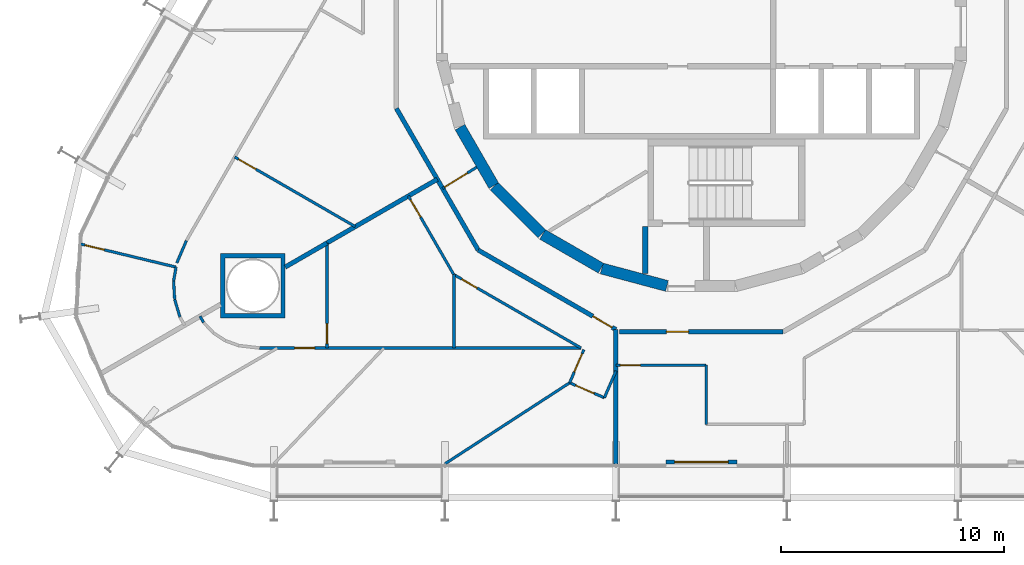
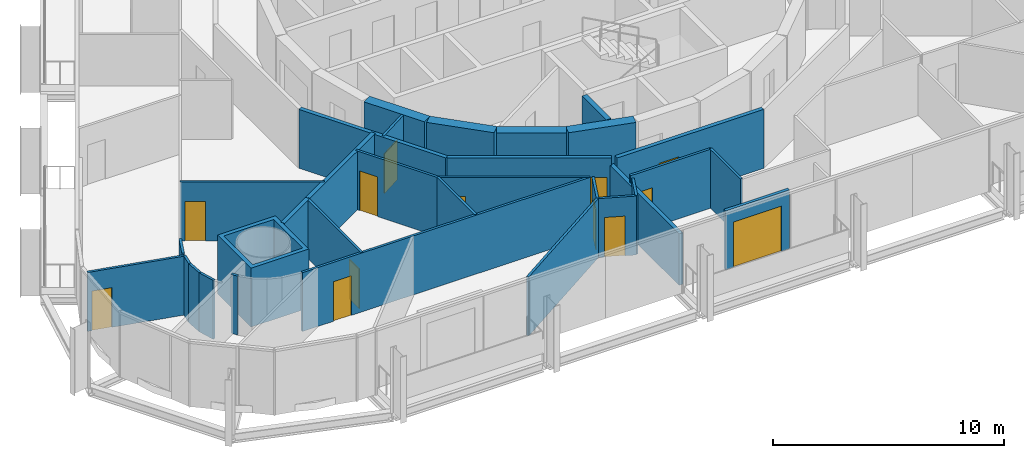
# One storey, part 13 of 21: 32 walls, 13 doors, 13 openings.
"""IFC4 building model written with IfcOpenShell, lengths in metres."""

import ifcopenshell
import ifcopenshell.guid

model = None  # the IFC model being written
_history = None  # IfcOwnerHistory: only IFC2X3 demands one
_inside = {}  # id of a spatial element -> (the spatial element, [elements in it])
_under = {}  # id of a project, library or spatial element -> (it, [spatial elements below it])
_declared = {}  # id of a project -> (the project, [libraries it declares])
_typed = {}  # id of a type object -> (the type object, [elements of that type])
_made_of = {}  # id of a material, layer set ... -> (it, [elements and type objects made of it])


def new_model(schema):
    """Start an empty IFC model of exactly this schema.

    Asked for "IFC4X3", IfcOpenShell would pick the latest addendum, in which some entities
    have other attributes; the version numbers below select the first issue.
    IFC2X3 requires an IfcOwnerHistory on every rooted entity: one is made here for all.
    """
    global model, _history
    if schema == "IFC4X3":
        model = ifcopenshell.file(schema_version=(4, 3, 0, 0))
    else:
        model = ifcopenshell.file(schema=schema)
    _inside.clear()
    _under.clear()
    _declared.clear()
    _typed.clear()
    _made_of.clear()
    _history = None
    if model.schema == "IFC2X3":
        org = make("IfcOrganization", Name="unknown")
        user = make(
            "IfcPersonAndOrganization",
            ThePerson=make("IfcPerson", FamilyName="unknown"),
            TheOrganization=org,
        )
        app = make(
            "IfcApplication",
            ApplicationDeveloper=org,
            Version="unknown",
            ApplicationFullName="unknown",
            ApplicationIdentifier="unknown",
        )
        _history = make(
            "IfcOwnerHistory",
            OwningUser=user,
            OwningApplication=app,
            ChangeAction="ADDED",
            CreationDate=0,
        )
    return model


def make(cls, **values):
    """One entity of the class cls with the attributes given. An attribute that is None is left unset."""
    return model.create_entity(
        cls, **{name: value for name, value in values.items() if value is not None}
    )


def rooted(cls, **values):
    """An entity with a GlobalId (a new one), such as an element, a storey or a relation."""
    return make(cls, GlobalId=ifcopenshell.guid.new(), OwnerHistory=_history, **values)


def si_unit(unit_type, name, prefix=None):
    """IfcSIUnit, for example si_unit("LENGTHUNIT", "METRE", prefix="MILLI")."""
    return make("IfcSIUnit", UnitType=unit_type, Prefix=prefix, Name=name)


def assignment(units):
    """IfcUnitAssignment: the units of a project."""
    return None if units is None else make("IfcUnitAssignment", Units=units)


def point(xyz):
    """IfcCartesianPoint."""
    return None if xyz is None else make("IfcCartesianPoint", Coordinates=xyz)


def direction(xyz):
    """IfcDirection."""
    return None if xyz is None else make("IfcDirection", DirectionRatios=xyz)


def frame(location, z_axis=None, x_axis=None):
    """IfcAxis2Placement3D, a coordinate frame: its origin and axes. An axis left out is left unset."""
    return make(
        "IfcAxis2Placement3D",
        Location=point(location),
        Axis=direction(z_axis),
        RefDirection=direction(x_axis),
    )


def frame_2d(location, x_axis=None):
    """IfcAxis2Placement2D, a coordinate frame in the plane: its origin and x axis."""
    return make(
        "IfcAxis2Placement2D", Location=point(location), RefDirection=direction(x_axis)
    )


def origin():
    """The frame at (0, 0, 0) with its axes left unset."""
    return frame((0.0, 0.0, 0.0))


def place(relative_to, where):
    """IfcLocalPlacement: puts the frame where relative to a parent placement (None: the world)."""
    return make(
        "IfcLocalPlacement", PlacementRelTo=relative_to, RelativePlacement=where
    )


def context(
    kind, dimensions, precision=None, world=None, true_north=None, identifier=None
):
    """IfcGeometricRepresentationContext, for example the 3D "Model" context."""
    return make(
        "IfcGeometricRepresentationContext",
        ContextIdentifier=identifier,
        ContextType=kind,
        CoordinateSpaceDimension=dimensions,
        Precision=precision,
        WorldCoordinateSystem=world,
        TrueNorth=true_north,
    )


def subcontext(parent, identifier, kind, view, scale=None):
    """IfcGeometricRepresentationSubContext, for example "Body" below "Model"."""
    return make(
        "IfcGeometricRepresentationSubContext",
        ContextIdentifier=identifier,
        ContextType=kind,
        ParentContext=parent,
        TargetScale=scale,
        TargetView=view,
    )


def project(units=None, contexts=None):
    """IfcProject with its units and contexts."""
    return rooted(
        "IfcProject",
        Name="project",
        RepresentationContexts=contexts,
        UnitsInContext=assignment(units),
    )


def spatial(cls, under=None, at=None, **own):
    """A site, building, storey or space (cls), placed at a placement, below another one or the project."""
    s = rooted(cls, ObjectPlacement=at, **own)
    if under is not None:
        _under.setdefault(under.id(), (under, []))[1].append(s)
    return s


def polyline(points):
    """IfcPolyline through the points."""
    return make("IfcPolyline", Points=[point(p) for p in points])


def profile(cls, at=None, kind="AREA", **sizes):
    """A parametric profile (cls). Its sizes go by their IFC names, for example OverallWidth=200.0."""
    return make(cls, ProfileType=kind, Position=at, **sizes)


def rectangle(**sizes):
    """IfcRectangleProfileDef."""
    return profile("IfcRectangleProfileDef", **sizes)


def outline(outer, holes=None, kind="AREA"):
    """IfcArbitraryClosedProfileDef: a profile drawn as a closed curve; with holes, ...WithVoids."""
    if holes is None:
        return make("IfcArbitraryClosedProfileDef", ProfileType=kind, OuterCurve=outer)
    return make(
        "IfcArbitraryProfileDefWithVoids",
        ProfileType=kind,
        OuterCurve=outer,
        InnerCurves=holes,
    )


def extrude(swept, where, along, depth):
    """IfcExtrudedAreaSolid: the profile swept, set in the frame where, extruded along a direction by depth."""
    return make(
        "IfcExtrudedAreaSolid",
        SweptArea=swept,
        Position=where,
        ExtrudedDirection=direction(along),
        Depth=depth,
    )


def shape(context_of_items, identifier, shape_type, items):
    """IfcShapeRepresentation: the items that make up one representation, for example the "Body"."""
    return make(
        "IfcShapeRepresentation",
        ContextOfItems=context_of_items,
        RepresentationIdentifier=identifier,
        RepresentationType=shape_type,
        Items=items,
    )


def material(Name=None, Category=None):
    """IfcMaterial."""
    return make("IfcMaterial", Name=Name, Category=Category)


def layer(
    of_material, thickness, ventilated=None, Name=None, Category=None, Priority=None
):
    """IfcMaterialLayer: one layer of a wall or slab, of a material (None: an air gap)."""
    return make(
        "IfcMaterialLayer",
        Material=of_material,
        LayerThickness=thickness,
        IsVentilated=ventilated,
        Name=Name,
        Category=Category,
        Priority=Priority,
    )


def layer_set(layers, Name=None):
    """IfcMaterialLayerSet."""
    return make("IfcMaterialLayerSet", MaterialLayers=layers, LayerSetName=Name)


def made_of(thing, what):
    """Note that an element or type object is made of a material, layer set ...; save() writes the relation."""
    if what is not None:
        _made_of.setdefault(what.id(), (what, []))[1].append(thing)
    return thing


def type_object(cls, material=None, **own):
    """A type object (cls), such as IfcWallType, which elements share."""
    return made_of(rooted(cls, **own), material)


def element(
    cls,
    number,
    at=None,
    inside=None,
    cuts=None,
    type_object=None,
    material=None,
    context=None,
    identifier="Body",
    shape_type=None,
    held_by="IfcProductDefinitionShape",
    body=None,
    shapes=None,
    **own,
):
    """One element of the class cls, such as IfcWall. Its Tag is "e" and its number.

    at: its placement. inside: the storey or other place that contains it. cuts: it is an
    opening in that element (IfcRelVoidsElement). A single representation is given by context,
    identifier, shape_type and body (its items); several are given by shapes. held_by: the class
    of the entity that holds the representations. save() writes the other relations.
    """
    e = rooted(cls, Tag="e%d" % number, ObjectPlacement=at, **own)
    if body is not None:
        shapes = [shape(context, identifier, shape_type, body)]
    if shapes is not None:
        e.Representation = make(held_by, Representations=shapes)
    if inside is not None:
        _inside.setdefault(inside.id(), (inside, []))[1].append(e)
    if cuts is not None:
        rooted(
            "IfcRelVoidsElement", RelatingBuildingElement=cuts, RelatedOpeningElement=e
        )
    if type_object is not None:
        _typed.setdefault(type_object.id(), (type_object, []))[1].append(e)
    return made_of(e, material)


def fill(opening, filler):
    """IfcRelFillsElement: the door or window that sits in an opening."""
    return rooted(
        "IfcRelFillsElement",
        RelatingOpeningElement=opening,
        RelatedBuildingElement=filler,
    )


def aggregate(whole, parts):
    """IfcRelAggregates: a whole, such as a stair, and the parts it consists of."""
    return rooted("IfcRelAggregates", RelatingObject=whole, RelatedObjects=parts)


def save(model, path):
    """Write the relations noted so far, then the file.

    IfcRelAggregates (storeys below a building ...), IfcRelContainedInSpatialStructure (elements
    in a storey), IfcRelDefinesByType, IfcRelAssociatesMaterial and IfcRelDeclares: one each for
    every whole, place, type object, material and project.
    """
    for whole, parts in _under.values():
        aggregate(whole, parts)
    for where, things in _inside.values():
        rooted(
            "IfcRelContainedInSpatialStructure",
            RelatedElements=things,
            RelatingStructure=where,
        )
    for kind, things in _typed.values():
        rooted("IfcRelDefinesByType", RelatedObjects=things, RelatingType=kind)
    for what, things in _made_of.values():
        rooted("IfcRelAssociatesMaterial", RelatedObjects=things, RelatingMaterial=what)
    for by, libraries in _declared.values():
        rooted("IfcRelDeclares", RelatingContext=by, RelatedDefinitions=libraries)
    model.write(path)


model = new_model("IFC4")

# Units and contexts
model_context = context("Model", 3, precision=1e-05, world=origin(), true_north=direction((0.0, 1.0)))
body_context = subcontext(model_context, "Body", "Model", "MODEL_VIEW")
ifc_project = project(units=[si_unit("LENGTHUNIT", "METRE"), si_unit("AREAUNIT", "SQUARE_METRE"), si_unit("VOLUMEUNIT", "CUBIC_METRE"), si_unit("PLANEANGLEUNIT", "RADIAN"), si_unit("MASSUNIT", "GRAM", prefix="KILO")], contexts=[model_context])

# Site, building, storey
site_placement = place(None, origin())
site = spatial("IfcSite", under=ifc_project, at=site_placement, CompositionType="ELEMENT")
building_placement = place(site_placement, origin())
building = spatial("IfcBuilding", under=site, at=building_placement, Name="Spindle Arch Residences", CompositionType="ELEMENT")
storey_placement = place(building_placement, frame((0.0, 0.0, 48.89990234375)))
storey = spatial("IfcBuildingStorey", under=building, at=storey_placement, Name="L10", CompositionType="ELEMENT", Elevation=48.89990234375)

# Walls
ifc_material_1 = material(Name="Concrete C50/60", Category="concrete")
ifc_layer_1 = layer(ifc_material_1, 0.5)
ifc_layer_set_1 = layer_set([ifc_layer_1], Name="Core outline wall 500")
wall_type_1 = type_object("IfcWallType", Name="Core outline wall 500", PredefinedType="SHEAR", material=ifc_layer_set_1)
wall_1_placement = place(storey_placement, frame((-10.84521484375, -4.510498046875, 0.0), z_axis=(0.0, 0.0, 1.0), x_axis=(0.500087131594, -0.865975092491, 0.0)))
element("IfcWall", 1, at=wall_1_placement, inside=storey, type_object=wall_type_1, Name="Core outline wall 20", PredefinedType="SHEAR", context=body_context, shape_type="SweptSolid", body=[
    extrude(rectangle(XDim=3.03271484375, YDim=0.5, at=frame_2d((1.516357421875, 0.0))), origin(), (0.0, 0.0, 1.0), 3.1201171875),
])
wall_2_placement = place(storey_placement, frame((-9.30810546875, -7.163818359375, 0.0), z_axis=(0.0, 0.0, 1.0), x_axis=(0.707106781187, -0.707106781187, 0.0)))
element("IfcWall", 2, at=wall_2_placement, inside=storey, type_object=wall_type_1, Name="Core outline wall 21", PredefinedType="SHEAR", context=body_context, shape_type="SweptSolid", body=[
    extrude(rectangle(XDim=3.032470703125, YDim=0.5, at=frame_2d((1.51611328125, 0.0))), origin(), (0.0, 0.0, 1.0), 3.1201171875),
])
for number, where, z_axis, x_axis, name in (
    (3, (-7.13671875, -9.32861328125, 0.0), (0.0, 0.0, 1.0), (0.865975092491, -0.500087131594, 0.0), "Core outline wall 22"),
    (4, (-4.479248046875, -10.858154296875, 0.0), (0.0, 0.0, 1.0), (0.965948410781, -0.258734743916, 0.0), "Core outline wall 23"),
):
    element("IfcWall", number, at=place(storey_placement, frame(where, z_axis=z_axis, x_axis=x_axis)), inside=storey, type_object=wall_type_1, Name=name, PredefinedType="SHEAR", context=body_context, shape_type="SweptSolid", body=[
        extrude(rectangle(XDim=3.03271484375, YDim=0.5, at=frame_2d((1.516357421875, 0.0))), origin(), (0.0, 0.0, 1.0), 3.1201171875),
    ])

# Wall, opening, door
ifc_material_2 = material(Name="Plasterboard on steel studs", Category="steel")
ifc_layer_2 = layer(ifc_material_2, 0.1201171875)
ifc_layer_set_2 = layer_set([ifc_layer_2], Name="Corridor division wall 120")
wall_type_2 = type_object("IfcWallType", Name="Corridor division wall 120", PredefinedType="PARTITIONING", material=ifc_layer_set_2)
wall_3_placement = place(storey_placement, frame((-11.625244140625, -7.264404296875, 0.0), z_axis=(0.0, 0.0, 1.0), x_axis=(0.84803632456, 0.529938102259, 0.0)))
wall_3 = element("IfcWall", 5, at=wall_3_placement, inside=storey, type_object=wall_type_2, Name="Corridor division wall R1B1-W003", PredefinedType="PARTITIONING", context=body_context, shape_type="SweptSolid", body=[
    extrude(rectangle(XDim=1.8037109375, YDim=0.1201171875, at=frame_2d((0.90185546875, 0.0))), origin(), (0.0, 0.0, 1.0), 3.1201171875),
])
opening_1_placement = place(wall_3_placement, frame((0.110107421875, 0.0, 0.0)))
opening_1 = element("IfcOpeningElement", 6, at=opening_1_placement, cuts=wall_3, Name="Opening R1B1-CD03", PredefinedType="OPENING", context=body_context, shape_type="SweptSolid", body=[
    extrude(rectangle(XDim=1.199951171875, YDim=2.10009765625, at=frame_2d((0.60009765625, 1.050048828125))), frame((0.0, 0.070068359375, 0.0), z_axis=(0.0, -1.0, 0.0), x_axis=(1.0, 0.0, 0.0)), (0.0, 0.0, 1.0), 0.14013671875),
])
ifc_material_3 = material(Name="Steel, fire-resisting door", Category="steel")
door_type_1 = type_object("IfcDoorType", Name="Corridor division door 1200x2100", OperationType="NOTDEFINED", PredefinedType="DOOR", material=ifc_material_3)
door_1_placement = place(opening_1_placement, origin())
door_1 = element("IfcDoor", 7, at=door_1_placement, inside=storey, type_object=door_type_1, Name="Corridor division door R1B1-CD03", OperationType="DOUBLE_DOOR_SINGLE_SWING", OverallHeight=2.10009765625, OverallWidth=1.199951171875, PredefinedType="DOOR", context=body_context, shape_type="SweptSolid", body=[
    extrude(rectangle(XDim=1.199951171875, YDim=2.10009765625, at=frame_2d((0.60009765625, 1.050048828125))), frame((0.0, 0.02490234375, 0.0), z_axis=(0.0, -1.0, 0.0), x_axis=(1.0, 0.0, 0.0)), (0.0, 0.0, 1.0), 0.050048828125),
])
fill(opening_1, door_1)

# Wall
ifc_material_4 = material(Name="Calcium silicate block, plastered")
ifc_layer_3 = layer(ifc_material_4, 0.199951171875)
ifc_layer_set_3 = layer_set([ifc_layer_3], Name="Corridor wall 200")
wall_type_3 = type_object("IfcWallType", Name="Corridor wall 200", PredefinedType="STANDARD", material=ifc_layer_set_3)
wall_4_placement = place(storey_placement, frame((-13.699951171875, -3.6708984375, 0.0), z_axis=(0.0, 0.0, 1.0), x_axis=(0.500001669485, -0.866024439905, 0.0)))
element("IfcWall", 8, at=wall_4_placement, inside=storey, type_object=wall_type_3, Name="Corridor wall R1B1-W012", PredefinedType="STANDARD", context=body_context, shape_type="SweptSolid", body=[
    extrude(rectangle(XDim=7.341796875, YDim=0.199951171875, at=frame_2d((3.6708984375, 0.0))), origin(), (0.0, 0.0, 1.0), 3.1201171875),
])

# Wall, opening, door
wall_5_placement = place(storey_placement, frame((-10.029052734375, -10.029052734375, 0.0), z_axis=(0.0, 0.0, 1.0), x_axis=(0.866022878987, -0.500004373052, 0.0)))
wall_5 = element("IfcWall", 9, at=wall_5_placement, inside=storey, type_object=wall_type_3, Name="Corridor wall R1B1-W013", PredefinedType="STANDARD", context=body_context, shape_type="SweptSolid", body=[
    extrude(rectangle(XDim=7.146484375, YDim=0.199951171875, at=frame_2d((3.5732421875, 0.0))), origin(), (0.0, 0.0, 1.0), 3.1201171875),
])
opening_2_placement = place(wall_5_placement, frame((5.946533203125, 0.0, 0.0)))
opening_2 = element("IfcOpeningElement", 10, at=opening_2_placement, cuts=wall_5, Name="Opening R1B1-FD04", PredefinedType="OPENING", context=body_context, shape_type="SweptSolid", body=[
    extrude(rectangle(XDim=1.0, YDim=2.10009765625, at=frame_2d((0.5, 1.050048828125))), frame((0.0, 0.10986328125, 0.0), z_axis=(0.0, -1.0, 0.0), x_axis=(1.0, 0.0, 0.0)), (0.0, 0.0, 1.0), 0.219970703125),
])
ifc_material_5 = material(Name="Timber, fire-resisting door set", Category="wood")
door_type_2 = type_object("IfcDoorType", Name="Flat entrance door 1000x2100", OperationType="NOTDEFINED", PredefinedType="DOOR", material=ifc_material_5)
door_2_placement = place(opening_2_placement, origin())
door_2 = element("IfcDoor", 11, at=door_2_placement, inside=storey, type_object=door_type_2, Name="Flat entrance door R1B1-FD04", OperationType="SINGLE_SWING_LEFT", OverallHeight=2.10009765625, OverallWidth=1.0, PredefinedType="DOOR", context=body_context, shape_type="SweptSolid", body=[
    extrude(rectangle(XDim=1.0, YDim=2.10009765625, at=frame_2d((0.5, 1.050048828125))), frame((0.0, 0.02490234375, 0.0), z_axis=(0.0, -1.0, 0.0), x_axis=(1.0, 0.0, 0.0)), (0.0, 0.0, 1.0), 0.050048828125),
])
fill(opening_2, door_2)

wall_6_placement = place(storey_placement, frame((-3.6708984375, -13.699951171875, 0.0), z_axis=(0.0, 0.0, 1.0), x_axis=(1.0, 0.0, 0.0)))
wall_6 = element("IfcWall", 12, at=wall_6_placement, inside=storey, type_object=wall_type_3, Name="Corridor wall R1B1-W014", PredefinedType="STANDARD", context=body_context, shape_type="SweptSolid", body=[
    extrude(rectangle(XDim=7.341796875, YDim=0.199951171875, at=frame_2d((3.6708984375, 0.0))), origin(), (0.0, 0.0, 1.0), 3.1201171875),
])
opening_3_placement = place(wall_6_placement, frame((2.10009765625, 0.0, 0.0)))
opening_3 = element("IfcOpeningElement", 13, at=opening_3_placement, cuts=wall_6, Name="Opening R1B1-FD05", PredefinedType="OPENING", context=body_context, shape_type="SweptSolid", body=[
    extrude(rectangle(XDim=1.0, YDim=2.10009765625, at=frame_2d((0.5, 1.050048828125))), frame((0.0, 0.10986328125, 0.0), z_axis=(0.0, -1.0, 0.0), x_axis=(1.0, 0.0, 0.0)), (0.0, 0.0, 1.0), 0.219970703125),
])
door_3_placement = place(opening_3_placement, origin())
door_3 = element("IfcDoor", 14, at=door_3_placement, inside=storey, type_object=door_type_2, Name="Flat entrance door R1B1-FD05", OperationType="SINGLE_SWING_LEFT", OverallHeight=2.10009765625, OverallWidth=1.0, PredefinedType="DOOR", context=body_context, shape_type="SweptSolid", body=[
    extrude(rectangle(XDim=1.0, YDim=2.10009765625, at=frame_2d((0.5, 1.050048828125))), frame((0.0, 0.02490234375, 0.0), z_axis=(0.0, -1.0, 0.0), x_axis=(1.0, 0.0, 0.0)), (0.0, 0.0, 1.0), 0.050048828125),
])
fill(opening_3, door_3)

ifc_material_6 = material(Name="Plasterboard on steel studs", Category="steel")
ifc_layer_4 = layer(ifc_material_6, 0.1201171875)
ifc_layer_set_4 = layer_set([ifc_layer_4], Name="Flat partition 120")
wall_type_4 = type_object("IfcWallType", Name="Flat partition 120", PredefinedType="PARTITIONING", material=ifc_layer_set_4)
wall_7_placement = place(storey_placement, frame((-20.96337890625, -5.849853515625, 0.0), z_axis=(0.0, 0.0, 1.0), x_axis=(0.866021746608, -0.500006334362, 0.0)))
wall_7 = element("IfcWall", 15, at=wall_7_placement, inside=storey, type_object=wall_type_4, Name="Flat partition R1B1-W069", PredefinedType="PARTITIONING", context=body_context, shape_type="SweptSolid", body=[
    extrude(rectangle(XDim=6.25341796875, YDim=0.1201171875, at=frame_2d((3.126708984375, 0.0))), origin(), (0.0, 0.0, 1.0), 3.1201171875),
])
opening_4_placement = place(wall_7_placement, frame((0.199951171875, 0.0, 0.0)))
opening_4 = element("IfcOpeningElement", 16, at=opening_4_placement, cuts=wall_7, Name="Opening R1B1-ID15", PredefinedType="OPENING", context=body_context, shape_type="SweptSolid", body=[
    extrude(rectangle(XDim=0.89990234375, YDim=2.10009765625, at=frame_2d((0.449951171875, 1.050048828125))), frame((0.0, 0.070068359375, 0.0), z_axis=(0.0, -1.0, 0.0), x_axis=(1.0, 0.0, 0.0)), (0.0, 0.0, 1.0), 0.14013671875),
])
ifc_material_7 = material(Name="Timber door set", Category="wood")
door_type_3 = type_object("IfcDoorType", Name="Room door 900x2100", OperationType="NOTDEFINED", PredefinedType="DOOR", material=ifc_material_7)
door_4_placement = place(opening_4_placement, origin())
door_4 = element("IfcDoor", 17, at=door_4_placement, inside=storey, type_object=door_type_3, Name="Room door R1B1-ID15", OperationType="SINGLE_SWING_RIGHT", OverallHeight=2.10009765625, OverallWidth=0.89990234375, PredefinedType="DOOR", context=body_context, shape_type="SweptSolid", body=[
    extrude(rectangle(XDim=0.89990234375, YDim=2.10009765625, at=frame_2d((0.449951171875, 1.050048828125))), frame((0.0, 0.02490234375, 0.0), z_axis=(0.0, -1.0, 0.0), x_axis=(1.0, 0.0, 0.0)), (0.0, 0.0, 1.0), 0.050048828125),
])
fill(opening_4, door_4)

# Wall
wall_8_placement = place(storey_placement, frame((-23.563720703125, -10.60595703125, 0.0), z_axis=(0.0, 0.0, 1.0), x_axis=(0.396195073027, 0.918166359713, 0.0)))
element("IfcWall", 18, at=wall_8_placement, inside=storey, type_object=wall_type_4, Name="Flat partition R1B1-W072", PredefinedType="PARTITIONING", context=body_context, shape_type="SweptSolid", body=[
    extrude(rectangle(XDim=1.0869140625, YDim=0.1201171875, at=frame_2d((0.54345703125, 0.0))), origin(), (0.0, 0.0, 1.0), 3.1201171875),
])

# Wall, opening, door
wall_9_placement = place(storey_placement, frame((-27.8828125, -9.76220703125, 0.0), z_axis=(0.0, 0.0, 1.0), x_axis=(0.972097015458, -0.234579181809, 0.0)))
wall_9 = element("IfcWall", 19, at=wall_9_placement, inside=storey, type_object=wall_type_4, Name="Flat partition R1B1-W073", PredefinedType="PARTITIONING", context=body_context, shape_type="SweptSolid", body=[
    extrude(rectangle(XDim=4.40869140625, YDim=0.1201171875, at=frame_2d((2.204345703125, 0.0))), origin(), (0.0, 0.0, 1.0), 3.1201171875),
])
opening_5_placement = place(wall_9_placement, frame((0.199951171875, 0.0, 0.0)))
opening_5 = element("IfcOpeningElement", 20, at=opening_5_placement, cuts=wall_9, Name="Opening R1B1-ID17", PredefinedType="OPENING", context=body_context, shape_type="SweptSolid", body=[
    extrude(rectangle(XDim=0.89990234375, YDim=2.10009765625, at=frame_2d((0.449951171875, 1.050048828125))), frame((0.0, 0.070068359375, 0.0), z_axis=(0.0, -1.0, 0.0), x_axis=(1.0, 0.0, 0.0)), (0.0, 0.0, 1.0), 0.14013671875),
])
door_5_placement = place(opening_5_placement, origin())
door_5 = element("IfcDoor", 21, at=door_5_placement, inside=storey, type_object=door_type_3, Name="Room door R1B1-ID17", OperationType="SINGLE_SWING_RIGHT", OverallHeight=2.10009765625, OverallWidth=0.89990234375, PredefinedType="DOOR", context=body_context, shape_type="SweptSolid", body=[
    extrude(rectangle(XDim=0.89990234375, YDim=2.10009765625, at=frame_2d((0.449951171875, 1.050048828125))), frame((0.0, 0.02490234375, 0.0), z_axis=(0.0, -1.0, 0.0), x_axis=(1.0, 0.0, 0.0)), (0.0, 0.0, 1.0), 0.050048828125),
])
fill(opening_5, door_5)

# Walls
wall_10_placement = place(storey_placement, frame((-23.59716796875, -10.79638671875, 0.0), z_axis=(0.0, 0.0, 1.0), x_axis=(-0.173610040386, -0.984814476882, 0.0)))
element("IfcWall", 22, at=wall_10_placement, inside=storey, type_object=wall_type_4, Name="Flat partition R1B1-W074", PredefinedType="PARTITIONING", context=body_context, shape_type="SweptSolid", body=[
    extrude(rectangle(XDim=0.6357421875, YDim=0.1201171875, at=frame_2d((0.31787109375, 0.0))), origin(), (0.0, 0.0, 1.0), 3.1201171875),
])
wall_11_placement = place(storey_placement, frame((-23.70751953125, -11.42236328125, 0.0), z_axis=(0.0, 0.0, 1.0), x_axis=(0.058031280246, -0.998314765248, 0.0)))
element("IfcWall", 23, at=wall_11_placement, inside=storey, type_object=wall_type_4, Name="Flat partition R1B1-W075", PredefinedType="PARTITIONING", context=body_context, shape_type="SweptSolid", body=[
    extrude(rectangle(XDim=0.828857421875, YDim=0.1201171875, at=frame_2d((0.41455078125, 0.0))), origin(), (0.0, 0.0, 1.0), 3.1201171875),
])
wall_12_placement = place(storey_placement, frame((-23.659423828125, -12.249755859375, 0.0), z_axis=(0.0, 0.0, 1.0), x_axis=(0.286834510868, -0.957980147694, 0.0)))
element("IfcWall", 24, at=wall_12_placement, inside=storey, type_object=wall_type_4, Name="Flat partition R1B1-W076", PredefinedType="PARTITIONING", context=body_context, shape_type="SweptSolid", body=[
    extrude(rectangle(XDim=0.8291015625, YDim=0.1201171875, at=frame_2d((0.41455078125, 0.0))), origin(), (0.0, 0.0, 1.0), 3.1201171875),
])

# Wall, opening, door
wall_13_placement = place(storey_placement, frame((-13.16357421875, -7.60009765625, 0.0), z_axis=(0.0, 0.0, 1.0), x_axis=(0.500000928893, -0.866024867487, 0.0)))
wall_13 = element("IfcWall", 25, at=wall_13_placement, inside=storey, type_object=wall_type_4, Name="Flat partition R1B1-W078", PredefinedType="PARTITIONING", context=body_context, shape_type="SweptSolid", body=[
    extrude(rectangle(XDim=4.07275390625, YDim=0.1201171875, at=frame_2d((2.036376953125, 0.0))), origin(), (0.0, 0.0, 1.0), 3.1201171875),
])
opening_6_placement = place(wall_13_placement, frame((0.199951171875, 0.0, 0.0)))
opening_6 = element("IfcOpeningElement", 26, at=opening_6_placement, cuts=wall_13, Name="Opening R1B1-ID18", PredefinedType="OPENING", context=body_context, shape_type="SweptSolid", body=[
    extrude(rectangle(XDim=0.89990234375, YDim=2.10009765625, at=frame_2d((0.449951171875, 1.050048828125))), frame((0.0, 0.070068359375, 0.0), z_axis=(0.0, -1.0, 0.0), x_axis=(1.0, 0.0, 0.0)), (0.0, 0.0, 1.0), 0.14013671875),
])
door_6_placement = place(opening_6_placement, origin())
door_6 = element("IfcDoor", 27, at=door_6_placement, inside=storey, type_object=door_type_3, Name="Room door R1B1-ID18", OperationType="SINGLE_SWING_LEFT", OverallHeight=2.10009765625, OverallWidth=0.89990234375, PredefinedType="DOOR", context=body_context, shape_type="SweptSolid", body=[
    extrude(rectangle(XDim=0.89990234375, YDim=2.10009765625, at=frame_2d((0.449951171875, 1.050048828125))), frame((0.0, 0.02490234375, 0.0), z_axis=(0.0, -1.0, 0.0), x_axis=(1.0, 0.0, 0.0)), (0.0, 0.0, 1.0), 0.050048828125),
])
fill(opening_6, door_6)

wall_14_placement = place(storey_placement, frame((-5.2802734375, -14.5029296875, 0.0), z_axis=(0.0, 0.0, 1.0), x_axis=(-0.395209511122, -0.918591009274, 0.0)))
wall_14 = element("IfcWall", 28, at=wall_14_placement, inside=storey, type_object=wall_type_4, Name="Flat partition R1B1-W079", PredefinedType="PARTITIONING", context=body_context, shape_type="SweptSolid", body=[
    extrude(rectangle(XDim=1.62109375, YDim=0.1201171875, at=frame_2d((0.810546875, 0.0))), origin(), (0.0, 0.0, 1.0), 3.1201171875),
])
opening_7_placement = place(wall_14_placement, frame((0.199951171875, 0.0, 0.0)))
opening_7 = element("IfcOpeningElement", 29, at=opening_7_placement, cuts=wall_14, Name="Opening R1B1-ID19", PredefinedType="OPENING", context=body_context, shape_type="SweptSolid", body=[
    extrude(rectangle(XDim=0.89990234375, YDim=2.10009765625, at=frame_2d((0.449951171875, 1.050048828125))), frame((0.0, 0.070068359375, 0.0), z_axis=(0.0, -1.0, 0.0), x_axis=(1.0, 0.0, 0.0)), (0.0, 0.0, 1.0), 0.14013671875),
])
door_7_placement = place(opening_7_placement, origin())
door_7 = element("IfcDoor", 30, at=door_7_placement, inside=storey, type_object=door_type_3, Name="Room door R1B1-ID19", OperationType="SINGLE_SWING_RIGHT", OverallHeight=2.10009765625, OverallWidth=0.89990234375, PredefinedType="DOOR", context=body_context, shape_type="SweptSolid", body=[
    extrude(rectangle(XDim=0.89990234375, YDim=2.10009765625, at=frame_2d((0.449951171875, 1.050048828125))), frame((0.0, 0.02490234375, 0.0), z_axis=(0.0, -1.0, 0.0), x_axis=(1.0, 0.0, 0.0)), (0.0, 0.0, 1.0), 0.050048828125),
])
fill(opening_7, door_7)

wall_15_placement = place(storey_placement, frame((-11.11181640625, -11.135986328125, 0.0), z_axis=(0.0, 0.0, 1.0), x_axis=(0.866017718408, -0.500013311227, 0.0)))
wall_15 = element("IfcWall", 31, at=wall_15_placement, inside=storey, type_object=wall_type_4, Name="Flat partition R1B1-W080", PredefinedType="PARTITIONING", context=body_context, shape_type="SweptSolid", body=[
    extrude(rectangle(XDim=6.587646484375, YDim=0.1201171875, at=frame_2d((3.2939453125, 0.0))), origin(), (0.0, 0.0, 1.0), 3.1201171875),
])
opening_8_placement = place(wall_15_placement, frame((0.39990234375, 0.0, 0.0)))
opening_8 = element("IfcOpeningElement", 32, at=opening_8_placement, cuts=wall_15, Name="Opening R1B1-BD04", PredefinedType="OPENING", context=body_context, shape_type="SweptSolid", body=[
    extrude(rectangle(XDim=0.800048828125, YDim=2.10009765625, at=frame_2d((0.39990234375, 1.050048828125))), frame((0.0, 0.070068359375, 0.0), z_axis=(0.0, -1.0, 0.0), x_axis=(1.0, 0.0, 0.0)), (0.0, 0.0, 1.0), 0.14013671875),
])
ifc_material_8 = material(Name="Timber door set", Category="wood")
door_type_4 = type_object("IfcDoorType", Name="Bathroom door 800x2100", OperationType="NOTDEFINED", PredefinedType="DOOR", material=ifc_material_8)
door_8_placement = place(opening_8_placement, origin())
door_8 = element("IfcDoor", 33, at=door_8_placement, inside=storey, type_object=door_type_4, Name="Bathroom door R1B1-BD04", OperationType="SINGLE_SWING_LEFT", OverallHeight=2.10009765625, OverallWidth=0.800048828125, PredefinedType="DOOR", context=body_context, shape_type="SweptSolid", body=[
    extrude(rectangle(XDim=0.800048828125, YDim=2.10009765625, at=frame_2d((0.39990234375, 1.050048828125))), frame((0.0, 0.02490234375, 0.0), z_axis=(0.0, -1.0, 0.0), x_axis=(1.0, 0.0, 0.0)), (0.0, 0.0, 1.0), 0.050048828125),
])
fill(opening_8, door_8)

wall_16_placement = place(storey_placement, frame((-5.9208984375, -15.991943359375, 0.0), z_axis=(0.0, 0.0, 1.0), x_axis=(0.918557080237, -0.395288363536, 0.0)))
wall_16 = element("IfcWall", 34, at=wall_16_placement, inside=storey, type_object=wall_type_4, Name="Flat partition R1B1-W081", PredefinedType="PARTITIONING", context=body_context, shape_type="SweptSolid", body=[
    extrude(rectangle(XDim=1.69970703125, YDim=0.1201171875, at=frame_2d((0.849853515625, 0.0))), origin(), (0.0, 0.0, 1.0), 3.1201171875),
])
opening_9_placement = place(wall_16_placement, frame((0.300048828125, 0.0, 0.0)))
opening_9 = element("IfcOpeningElement", 35, at=opening_9_placement, cuts=wall_16, Name="Opening R1B1-ID20", PredefinedType="OPENING", context=body_context, shape_type="SweptSolid", body=[
    extrude(rectangle(XDim=0.89990234375, YDim=2.10009765625, at=frame_2d((0.449951171875, 1.050048828125))), frame((0.0, 0.070068359375, 0.0), z_axis=(0.0, -1.0, 0.0), x_axis=(1.0, 0.0, 0.0)), (0.0, 0.0, 1.0), 0.14013671875),
])
door_9_placement = place(opening_9_placement, origin())
door_9 = element("IfcDoor", 36, at=door_9_placement, inside=storey, type_object=door_type_3, Name="Room door R1B1-ID20", OperationType="SINGLE_SWING_LEFT", OverallHeight=2.10009765625, OverallWidth=0.89990234375, PredefinedType="DOOR", context=body_context, shape_type="SweptSolid", body=[
    extrude(rectangle(XDim=0.89990234375, YDim=2.10009765625, at=frame_2d((0.449951171875, 1.050048828125))), frame((0.0, 0.02490234375, 0.0), z_axis=(0.0, -1.0, 0.0), x_axis=(1.0, 0.0, 0.0)), (0.0, 0.0, 1.0), 0.050048828125),
])
fill(opening_9, door_9)

# Wall
wall_17_placement = place(storey_placement, frame((-4.359619140625, -16.663818359375, 0.0), z_axis=(0.0, 0.0, 1.0), x_axis=(0.395353859705, 0.918528892097, 0.0)))
element("IfcWall", 37, at=wall_17_placement, inside=storey, type_object=wall_type_4, Name="Flat partition R1B1-W082", PredefinedType="PARTITIONING", context=body_context, shape_type="SweptSolid", body=[
    extrude(rectangle(XDim=1.314208984375, YDim=0.1201171875, at=frame_2d((0.6572265625, 0.0))), origin(), (0.0, 0.0, 1.0), 3.1201171875),
])

# Wall, opening, door
wall_18_placement = place(storey_placement, frame((-5.40673828125, -14.429931640625, 0.0), z_axis=(0.0, 0.0, 1.0), x_axis=(-1.0, 0.0, 0.0)))
wall_18 = element("IfcWall", 38, at=wall_18_placement, inside=storey, type_object=wall_type_4, Name="Flat partition R1B1-W083", PredefinedType="PARTITIONING", context=body_context, shape_type="SweptSolid", body=[
    extrude(rectangle(XDim=14.43408203125, YDim=0.1201171875, at=frame_2d((7.217041015625, 0.0))), origin(), (0.0, 0.0, 1.0), 3.1201171875),
])
opening_10_placement = place(wall_18_placement, frame((11.969970703125, 0.0, 0.0)))
opening_10 = element("IfcOpeningElement", 39, at=opening_10_placement, cuts=wall_18, Name="Opening R1B1-ID22", PredefinedType="OPENING", context=body_context, shape_type="SweptSolid", body=[
    extrude(rectangle(XDim=0.89990234375, YDim=2.10009765625, at=frame_2d((0.449951171875, 1.050048828125))), frame((0.0, 0.070068359375, 0.0), z_axis=(0.0, -1.0, 0.0), x_axis=(1.0, 0.0, 0.0)), (0.0, 0.0, 1.0), 0.14013671875),
])
door_10_placement = place(opening_10_placement, origin())
door_10 = element("IfcDoor", 40, at=door_10_placement, inside=storey, type_object=door_type_3, Name="Room door R1B1-ID22", OperationType="SINGLE_SWING_LEFT", OverallHeight=2.10009765625, OverallWidth=0.89990234375, PredefinedType="DOOR", context=body_context, shape_type="SweptSolid", body=[
    extrude(rectangle(XDim=0.89990234375, YDim=2.10009765625, at=frame_2d((0.449951171875, 1.050048828125))), frame((0.0, 0.02490234375, 0.0), z_axis=(0.0, -1.0, 0.0), x_axis=(1.0, 0.0, 0.0)), (0.0, 0.0, 1.0), 0.050048828125),
])
fill(opening_10, door_10)

# Wall
wall_19_placement = place(storey_placement, frame((-22.361083984375, -13.281005859375, 0.0), z_axis=(0.0, 0.0, 1.0), x_axis=(-0.499656614129, 0.86622356696, 0.0)))
element("IfcWall", 41, at=wall_19_placement, inside=storey, type_object=wall_type_4, Name="Flat partition R1B1-W088", PredefinedType="PARTITIONING", context=body_context, shape_type="SweptSolid", body=[
    extrude(rectangle(XDim=0.321044921875, YDim=0.1201171875, at=frame_2d((0.16064453125, 0.0))), origin(), (0.0, 0.0, 1.0), 3.1201171875),
])

# Wall, opening, door
wall_20_placement = place(storey_placement, frame((-16.816650390625, -14.429931640625, 0.0), z_axis=(0.0, 0.0, 1.0), x_axis=(0.0, 1.0, 0.0)))
wall_20 = element("IfcWall", 42, at=wall_20_placement, inside=storey, type_object=wall_type_4, Name="Flat partition R1B1-W090", PredefinedType="PARTITIONING", context=body_context, shape_type="SweptSolid", body=[
    extrude(rectangle(XDim=4.720947265625, YDim=0.1201171875, at=frame_2d((2.3603515625, 0.0))), origin(), (0.0, 0.0, 1.0), 3.1201171875),
])
opening_11_placement = place(wall_20_placement, frame((0.199951171875, 0.0, 0.0)))
opening_11 = element("IfcOpeningElement", 43, at=opening_11_placement, cuts=wall_20, Name="Opening R1B1-ID21", PredefinedType="OPENING", context=body_context, shape_type="SweptSolid", body=[
    extrude(rectangle(XDim=0.89990234375, YDim=2.10009765625, at=frame_2d((0.449951171875, 1.050048828125))), frame((0.0, 0.070068359375, 0.0), z_axis=(0.0, -1.0, 0.0), x_axis=(1.0, 0.0, 0.0)), (0.0, 0.0, 1.0), 0.14013671875),
])
door_11_placement = place(opening_11_placement, origin())
door_11 = element("IfcDoor", 44, at=door_11_placement, inside=storey, type_object=door_type_3, Name="Room door R1B1-ID21", OperationType="SINGLE_SWING_LEFT", OverallHeight=2.10009765625, OverallWidth=0.89990234375, PredefinedType="DOOR", context=body_context, shape_type="SweptSolid", body=[
    extrude(rectangle(XDim=0.89990234375, YDim=2.10009765625, at=frame_2d((0.449951171875, 1.050048828125))), frame((0.0, 0.02490234375, 0.0), z_axis=(0.0, -1.0, 0.0), x_axis=(1.0, 0.0, 0.0)), (0.0, 0.0, 1.0), 0.050048828125),
])
fill(opening_11, door_11)

# Walls
wall_21_placement = place(storey_placement, frame((-11.11181640625, -14.429931640625, 0.0), z_axis=(0.0, 0.0, 1.0), x_axis=(0.0, 1.0, 0.0)))
element("IfcWall", 45, at=wall_21_placement, inside=storey, type_object=wall_type_4, Name="Flat partition R1B1-W091", PredefinedType="PARTITIONING", context=body_context, shape_type="SweptSolid", body=[
    extrude(rectangle(XDim=3.2939453125, YDim=0.1201171875, at=frame_2d((1.64697265625, 0.0))), origin(), (0.0, 0.0, 1.0), 3.1201171875),
])
wall_22_placement = place(storey_placement, frame((-11.52001953125, -19.6298828125, 0.0), z_axis=(0.0, 0.0, 1.0), x_axis=(0.838545516556, 0.544831548888, 0.0)))
element("IfcWall", 46, at=wall_22_placement, inside=storey, type_object=wall_type_4, Name="Flat partition R1B1-W093", PredefinedType="PARTITIONING", context=body_context, shape_type="SweptSolid", body=[
    extrude(rectangle(XDim=6.67724609375, YDim=0.1201171875, at=frame_2d((3.338623046875, 0.0))), origin(), (0.0, 0.0, 1.0), 3.1201171875),
])

# Wall, opening, door
wall_23_placement = place(storey_placement, frame((-3.840087890625, -15.199951171875, 0.0), z_axis=(0.0, 0.0, 1.0), x_axis=(1.0, 0.0, 0.0)))
wall_23 = element("IfcWall", 47, at=wall_23_placement, inside=storey, type_object=wall_type_4, Name="Flat partition R1B1-W094", PredefinedType="PARTITIONING", context=body_context, shape_type="SweptSolid", body=[
    extrude(rectangle(XDim=4.052490234375, YDim=0.1201171875, at=frame_2d((2.0263671875, 0.0))), origin(), (0.0, 0.0, 1.0), 3.1201171875),
])
opening_12_placement = place(wall_23_placement, frame((0.199951171875, 0.0, 0.0)))
opening_12 = element("IfcOpeningElement", 48, at=opening_12_placement, cuts=wall_23, Name="Opening R1B1-ID24", PredefinedType="OPENING", context=body_context, shape_type="SweptSolid", body=[
    extrude(rectangle(XDim=0.89990234375, YDim=2.10009765625, at=frame_2d((0.449951171875, 1.050048828125))), frame((0.0, 0.070068359375, 0.0), z_axis=(0.0, -1.0, 0.0), x_axis=(1.0, 0.0, 0.0)), (0.0, 0.0, 1.0), 0.14013671875),
])
door_12_placement = place(opening_12_placement, origin())
door_12 = element("IfcDoor", 49, at=door_12_placement, inside=storey, type_object=door_type_3, Name="Room door R1B1-ID24", OperationType="SINGLE_SWING_LEFT", OverallHeight=2.10009765625, OverallWidth=0.89990234375, PredefinedType="DOOR", context=body_context, shape_type="SweptSolid", body=[
    extrude(rectangle(XDim=0.89990234375, YDim=2.10009765625, at=frame_2d((0.449951171875, 1.050048828125))), frame((0.0, 0.02490234375, 0.0), z_axis=(0.0, -1.0, 0.0), x_axis=(1.0, 0.0, 0.0)), (0.0, 0.0, 1.0), 0.050048828125),
])
fill(opening_12, door_12)

# Walls
wall_24_placement = place(storey_placement, frame((0.21240234375, -15.199951171875, 0.0), z_axis=(0.0, 0.0, 1.0), x_axis=(0.0, -1.0, 0.0)))
element("IfcWall", 50, at=wall_24_placement, inside=storey, type_object=wall_type_4, Name="Flat partition R1B1-W095", PredefinedType="PARTITIONING", context=body_context, shape_type="SweptSolid", body=[
    extrude(rectangle(XDim=2.6533203125, YDim=0.1201171875, at=frame_2d((1.32666015625, 0.0))), origin(), (0.0, 0.0, 1.0), 3.1201171875),
])
ifc_material_9 = material(Name="Calcium silicate block, plastered")
ifc_layer_5 = layer(ifc_material_9, 0.199951171875)
ifc_layer_set_5 = layer_set([ifc_layer_5], Name="Flat party wall 200")
wall_type_5 = type_object("IfcWallType", Name="Flat party wall 200", PredefinedType="STANDARD", material=ifc_layer_set_5)
wall_25_placement = place(storey_placement, frame((-16.816650390625, -9.708984375, 0.0), z_axis=(0.0, 0.0, 1.0), x_axis=(0.86604338933, 0.499968846828, 0.0)))
element("IfcWall", 51, at=wall_25_placement, inside=storey, type_object=wall_type_5, Name="Flat party wall R1B1-W022", PredefinedType="STANDARD", context=body_context, shape_type="SweptSolid", body=[
    extrude(rectangle(XDim=5.718017578125, YDim=0.199951171875, at=frame_2d((2.85888671875, 0.0))), origin(), (0.0, 0.0, 1.0), 3.1201171875),
])
wall_26_placement = place(storey_placement, frame((-18.693603515625, -10.792724609375, 0.0), z_axis=(0.0, 0.0, 1.0), x_axis=(0.866009251978, 0.500027974705, 0.0)))
element("IfcWall", 52, at=wall_26_placement, inside=storey, type_object=wall_type_5, Name="Flat party wall R1B1-W024", PredefinedType="STANDARD", context=body_context, shape_type="SweptSolid", body=[
    extrude(rectangle(XDim=2.16748046875, YDim=0.199951171875, at=frame_2d((1.083740234375, 0.0))), origin(), (0.0, 0.0, 1.0), 3.1201171875),
])
ifc_material_10 = material(Name="Calcium silicate block, plastered")
ifc_layer_6 = layer(ifc_material_10, 0.199951171875)
ifc_layer_set_6 = layer_set([ifc_layer_6], Name="Flat party wall 200 under beam 2730")
wall_type_6 = type_object("IfcWallType", Name="Flat party wall 200 under beam 2730", PredefinedType="STANDARD", material=ifc_layer_set_6)
wall_27_placement = place(storey_placement, frame((-3.840087890625, -19.6298828125, 0.0), z_axis=(0.0, 0.0, 1.0), x_axis=(0.0, 1.0, 0.0)))
element("IfcWall", 53, at=wall_27_placement, inside=storey, type_object=wall_type_6, Name="Flat party wall R1B1-W025", PredefinedType="STANDARD", context=body_context, shape_type="SweptSolid", body=[
    extrude(rectangle(XDim=6.027587890625, YDim=0.199951171875, at=frame_2d((3.013671875, 0.0))), origin(), (0.0, 0.0, 1.0), 2.72998046875),
])

# Wall, opening, door
ifc_material_11 = material(Name="Non-combustible mineral wool insulated aluminium faced external wall (K0)", Category="aluminium")
ifc_layer_7 = layer(ifc_material_11, 0.159912109375)
ifc_layer_set_7 = layer_set([ifc_layer_7], Name="Insulated external wall panel 160")
wall_type_7 = type_object("IfcWallType", Name="Insulated external wall panel 160", PredefinedType="STANDARD", material=ifc_layer_set_7)
wall_28_placement = place(storey_placement, frame((-1.60009765625, -19.5498046875, 0.0), z_axis=(0.0, 0.0, 1.0), x_axis=(1.0, 0.0, 0.0)))
wall_28 = element("IfcWall", 54, at=wall_28_placement, inside=storey, type_object=wall_type_7, Name="External wall L10 bay 24", PredefinedType="STANDARD", context=body_context, shape_type="SweptSolid", body=[
    extrude(rectangle(XDim=3.2001953125, YDim=0.159912109375, at=frame_2d((1.60009765625, 0.0))), origin(), (0.0, 0.0, 1.0), 3.1201171875),
])
opening_13_placement = place(wall_28_placement, frame((0.39990234375, 0.0, 0.0)))
opening_13 = element("IfcOpeningElement", 55, at=opening_13_placement, cuts=wall_28, Name="Opening BD24", PredefinedType="OPENING", context=body_context, shape_type="SweptSolid", body=[
    extrude(rectangle(XDim=2.39990234375, YDim=2.39990234375, at=frame_2d((1.199951171875, 1.199951171875))), frame((0.0, 0.08984375, 0.0), z_axis=(0.0, -1.0, 0.0), x_axis=(1.0, 0.0, 0.0)), (0.0, 0.0, 1.0), 0.179931640625),
])
ifc_material_12 = material(Name="Bronze aluminium frame, tinted double glazing", Category="aluminium")
door_type_5 = type_object("IfcDoorType", Name="Sliding glazed balcony door 2400x2400", OperationType="DOUBLE_DOOR_SLIDING", PredefinedType="DOOR", material=ifc_material_12)
door_13_placement = place(opening_13_placement, origin())
door_13 = element("IfcDoor", 56, at=door_13_placement, inside=storey, type_object=door_type_5, Name="Balcony door BD24", OperationType="DOUBLE_DOOR_SLIDING", OverallHeight=2.39990234375, OverallWidth=2.39990234375, PredefinedType="DOOR", context=body_context, shape_type="SweptSolid", body=[
    extrude(rectangle(XDim=2.39990234375, YDim=2.39990234375, at=frame_2d((1.199951171875, 1.199951171875))), frame((0.0, 0.02490234375, 0.0), z_axis=(0.0, -1.0, 0.0), x_axis=(1.0, 0.0, 0.0)), (0.0, 0.0, 1.0), 0.050048828125),
])
fill(opening_13, door_13)

# Walls
ifc_material_13 = material(Name="Calcium silicate block, plastered")
ifc_layer_8 = layer(ifc_material_13, 0.199951171875)
ifc_layer_set_8 = layer_set([ifc_layer_8], Name="Mega-column casing wall 200")
wall_type_8 = type_object("IfcWallType", Name="Mega-column casing wall 200", PredefinedType="STANDARD", material=ifc_layer_set_8)
wall_29_placement = place(storey_placement, origin())
element("IfcWall", 57, at=wall_29_placement, inside=storey, type_object=wall_type_8, Name="Mega-column casing wall R1B1-WC02", PredefinedType="STANDARD", context=body_context, shape_type="SweptSolid", body=[
    extrude(outline(polyline([(-18.693603515625, -10.179931640625), (-18.693603515625, -13.079833984375), (-21.593505859375, -13.079833984375), (-21.593505859375, -10.179931640625), (-18.693603515625, -10.179931640625)]), holes=[polyline([(-21.3935546875, -12.8798828125), (-18.8935546875, -12.8798828125), (-18.8935546875, -10.3798828125), (-21.3935546875, -10.3798828125), (-21.3935546875, -12.8798828125)])]), origin(), (0.0, 0.0, 1.0), 3.1201171875),
])
ifc_material_14 = material(Name="Concrete C40/50", Category="concrete")
ifc_layer_9 = layer(ifc_material_14, 0.25)
ifc_layer_set_9 = layer_set([ifc_layer_9], Name="Stair airlock wall 250")
wall_type_9 = type_object("IfcWallType", Name="Stair airlock wall 250", PredefinedType="SHEAR", material=ifc_layer_set_9)
wall_30_placement = place(storey_placement, frame((-2.52490234375, -8.969970703125, 0.0), z_axis=(0.0, 0.0, 1.0), x_axis=(0.0, -1.0, 0.0)))
element("IfcWall", 58, at=wall_30_placement, inside=storey, type_object=wall_type_9, Name="Stair ST-3 airlock wall W", PredefinedType="SHEAR", context=body_context, shape_type="SweptSolid", body=[
    extrude(rectangle(XDim=2.110107421875, YDim=0.25, at=frame_2d((1.05517578125, 0.0))), origin(), (0.0, 0.0, 1.0), 3.1201171875),
])

save(model, "model.ifc")
